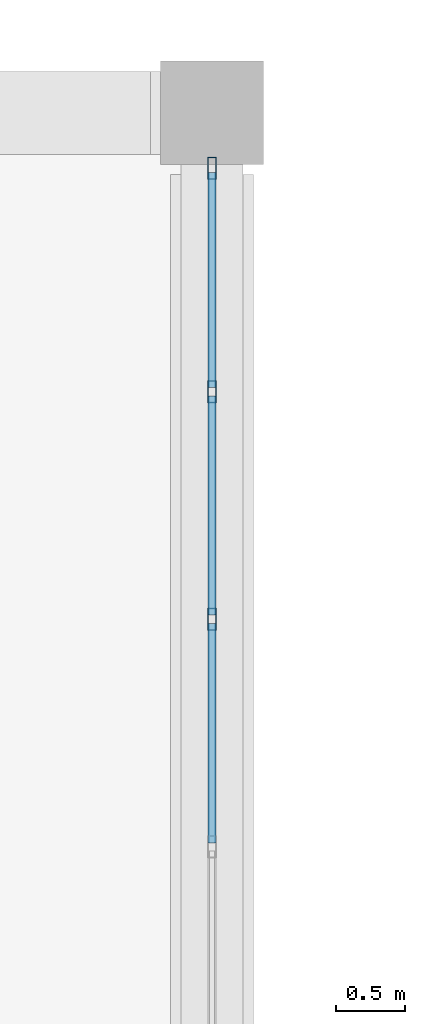
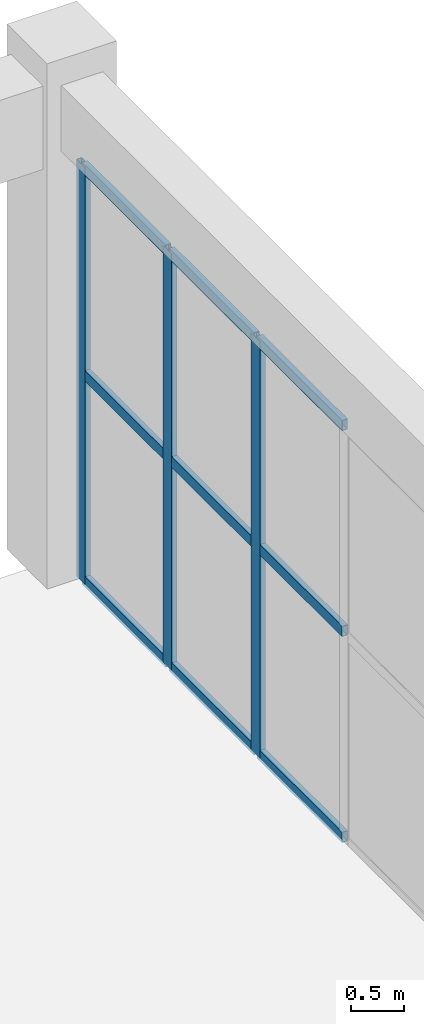
# One storey, part 52 of 91: 12 members, 1 element without a shape of its own.
"""IFC4 building model written with IfcOpenShell, lengths in metres."""

from ifc_helpers import new_model, si_unit, direction, frame, origin, origin_2d, place, context, subcontext, project, spatial, hollow_rectangle, extrude, material, layer, layer_set, material_profile, profile_set, type_object, element, aggregate, save


model = new_model("IFC4")

# Units and contexts
model_context = context("Model", 3, precision=1e-05, world=origin(), true_north=direction((0.0, 1.0)))
body_context = subcontext(model_context, "Body", "Model", "MODEL_VIEW")
ifc_project = project(units=[si_unit("LENGTHUNIT", "METRE"), si_unit("AREAUNIT", "SQUARE_METRE"), si_unit("VOLUMEUNIT", "CUBIC_METRE"), si_unit("PLANEANGLEUNIT", "RADIAN"), si_unit("MASSUNIT", "GRAM", prefix="KILO")], contexts=[model_context])

# Site, building, storey
site_placement = place(None, origin())
site = spatial("IfcSite", under=ifc_project, at=site_placement, CompositionType="ELEMENT")
building_placement = place(site_placement, origin())
building = spatial("IfcBuilding", under=site, at=building_placement, Name="Dornveld Trade and Exhibition Forum", CompositionType="ELEMENT")
storey_placement = place(building_placement, origin())
storey = spatial("IfcBuildingStorey", under=building, at=storey_placement, Name="L00", CompositionType="ELEMENT", Elevation=0.0)

# Curtain wall, members
ifc_material_1 = material(Name="Dark-bronze anodised aluminium and low-E glass", Category="aluminium")
ifc_layer = layer(ifc_material_1, 0.180908203125)
ifc_layer_set = layer_set([ifc_layer], Name="Dark-bronze anodised aluminium and low-E glass")
curtain_wall_type = type_object("IfcCurtainWallType", Name="CW-SYS-13", PredefinedType="USERDEFINED", material=ifc_layer_set)
curtain_wall_placement = place(storey_placement, origin())
curtain_wall = element("IfcCurtainWall", 1, at=curtain_wall_placement, inside=storey, type_object=curtain_wall_type, Name="L00 unitised curtain wall 103", ObjectType="UNITISED_CURTAIN_WALL", PredefinedType="USERDEFINED")
ifc_material_2 = material(Name="Dark-bronze anodised aluminium", Category="aluminium")
ifc_material_profile_1 = material_profile(ifc_material_2, hollow_rectangle(XDim=0.06005859375, YDim=0.159912109375, WallThickness=0.00390625, at=origin_2d()), Name="RHS 160x60x4")
ifc_profile_set_1 = profile_set([ifc_material_profile_1], Name="Dark-bronze anodised aluminium")
member_type_1 = type_object("IfcMemberType", Name="CW-MUL-160", PredefinedType="MULLION", material=ifc_profile_set_1)
member_1_placement = place(storey_placement, frame((216.0, 140.32568359375, -0.00390625), z_axis=(0.0, 0.0, 1.0), x_axis=(-1.0, 0.0, 0.0)))
member_1 = element("IfcMember", 2, at=member_1_placement, type_object=member_type_1, Name="CW-13 mullion 4", PredefinedType="MULLION", context=body_context, shape_type="SweptSolid", body=[
    extrude(hollow_rectangle(XDim=0.06005859375, YDim=0.159912109375, WallThickness=0.00390625, at=origin_2d()), origin(), (0.0, 0.0, 1.0), 4.763916015625),
])
member_2_placement = place(storey_placement, frame((216.0, 141.977294921875, -0.00390625), z_axis=(0.0, 0.0, 1.0), x_axis=(-1.0, 0.0, 0.0)))
member_2 = element("IfcMember", 3, at=member_2_placement, type_object=member_type_1, Name="CW-13 mullion 5", PredefinedType="MULLION", context=body_context, shape_type="SweptSolid", body=[
    extrude(hollow_rectangle(XDim=0.06005859375, YDim=0.159912109375, WallThickness=0.00390625, at=origin_2d()), origin(), (0.0, 0.0, 1.0), 4.763916015625),
])
member_3_placement = place(storey_placement, frame((216.0, 143.59912109375, -0.00390625), z_axis=(0.0, 0.0, 1.0), x_axis=(-1.0, 0.0, 0.0)))
member_3 = element("IfcMember", 4, at=member_3_placement, type_object=member_type_1, Name="CW-13 mullion 6", PredefinedType="MULLION", context=body_context, shape_type="SweptSolid", body=[
    extrude(hollow_rectangle(XDim=0.06005859375, YDim=0.159912109375, WallThickness=0.00390625, at=origin_2d()), origin(), (0.0, 0.0, 1.0), 4.763916015625),
])
ifc_material_3 = material(Name="Dark-bronze anodised aluminium", Category="aluminium")
ifc_material_profile_2 = material_profile(ifc_material_3, hollow_rectangle(XDim=0.06005859375, YDim=0.1201171875, WallThickness=0.00390625, at=origin_2d()), Name="RHS 120x60x4")
ifc_profile_set_2 = profile_set([ifc_material_profile_2], Name="Dark-bronze anodised aluminium")
member_type_2 = type_object("IfcMemberType", Name="CW-TRN-120", PredefinedType="USERDEFINED", material=ifc_profile_set_2)
member_4_placement = place(storey_placement, frame((216.0, 138.7041015625, 0.02587890625), z_axis=(0.0, 1.0, 0.0), x_axis=(-1.0, 0.0, 0.0)))
member_4 = element("IfcMember", 5, at=member_4_placement, type_object=member_type_2, Name="CW-13 transom 3.1", ObjectType="TRANSOM", PredefinedType="USERDEFINED", context=body_context, shape_type="SweptSolid", body=[
    extrude(hollow_rectangle(XDim=0.06005859375, YDim=0.1201171875, WallThickness=0.00390625, at=origin_2d()), origin(), (0.0, 0.0, 1.0), 1.591796875),
])
member_5_placement = place(storey_placement, frame((216.0, 138.7041015625, 2.3779296875), z_axis=(0.0, 1.0, 0.0), x_axis=(-1.0, 0.0, 0.0)))
member_5 = element("IfcMember", 6, at=member_5_placement, type_object=member_type_2, Name="CW-13 transom 3.2", ObjectType="TRANSOM", PredefinedType="USERDEFINED", context=body_context, shape_type="SweptSolid", body=[
    extrude(hollow_rectangle(XDim=0.06005859375, YDim=0.1201171875, WallThickness=0.00390625, at=origin_2d()), origin(), (0.0, 0.0, 1.0), 1.591796875),
])
member_6_placement = place(storey_placement, frame((216.0, 138.7041015625, 4.72998046875), z_axis=(0.0, 1.0, 0.0), x_axis=(-1.0, 0.0, 0.0)))
member_6 = element("IfcMember", 7, at=member_6_placement, type_object=member_type_2, Name="CW-13 transom 3.3", ObjectType="TRANSOM", PredefinedType="USERDEFINED", context=body_context, shape_type="SweptSolid", body=[
    extrude(hollow_rectangle(XDim=0.06005859375, YDim=0.1201171875, WallThickness=0.00390625, at=origin_2d()), origin(), (0.0, 0.0, 1.0), 1.591796875),
])
member_7_placement = place(storey_placement, frame((216.0, 140.355712890625, 0.02587890625), z_axis=(0.0, 1.0, 0.0), x_axis=(-1.0, 0.0, 0.0)))
member_7 = element("IfcMember", 8, at=member_7_placement, type_object=member_type_2, Name="CW-13 transom 4.1", ObjectType="TRANSOM", PredefinedType="USERDEFINED", context=body_context, shape_type="SweptSolid", body=[
    extrude(hollow_rectangle(XDim=0.06005859375, YDim=0.1201171875, WallThickness=0.00390625, at=origin_2d()), origin(), (0.0, 0.0, 1.0), 1.591796875),
])
member_8_placement = place(storey_placement, frame((216.0, 140.355712890625, 2.3779296875), z_axis=(0.0, 1.0, 0.0), x_axis=(-1.0, 0.0, 0.0)))
member_8 = element("IfcMember", 9, at=member_8_placement, type_object=member_type_2, Name="CW-13 transom 4.2", ObjectType="TRANSOM", PredefinedType="USERDEFINED", context=body_context, shape_type="SweptSolid", body=[
    extrude(hollow_rectangle(XDim=0.06005859375, YDim=0.1201171875, WallThickness=0.00390625, at=origin_2d()), origin(), (0.0, 0.0, 1.0), 1.591796875),
])
member_9_placement = place(storey_placement, frame((216.0, 140.355712890625, 4.72998046875), z_axis=(0.0, 1.0, 0.0), x_axis=(-1.0, 0.0, 0.0)))
member_9 = element("IfcMember", 10, at=member_9_placement, type_object=member_type_2, Name="CW-13 transom 4.3", ObjectType="TRANSOM", PredefinedType="USERDEFINED", context=body_context, shape_type="SweptSolid", body=[
    extrude(hollow_rectangle(XDim=0.06005859375, YDim=0.1201171875, WallThickness=0.00390625, at=origin_2d()), origin(), (0.0, 0.0, 1.0), 1.591796875),
])
member_10_placement = place(storey_placement, frame((216.0, 142.00732421875, 0.02587890625), z_axis=(0.0, 1.0, 0.0), x_axis=(-1.0, 0.0, 0.0)))
member_10 = element("IfcMember", 11, at=member_10_placement, type_object=member_type_2, Name="CW-13 transom 5.1", ObjectType="TRANSOM", PredefinedType="USERDEFINED", context=body_context, shape_type="SweptSolid", body=[
    extrude(hollow_rectangle(XDim=0.06005859375, YDim=0.1201171875, WallThickness=0.00390625, at=origin_2d()), origin(), (0.0, 0.0, 1.0), 1.561767578125),
])
member_11_placement = place(storey_placement, frame((216.0, 142.00732421875, 2.3779296875), z_axis=(0.0, 1.0, 0.0), x_axis=(-1.0, 0.0, 0.0)))
member_11 = element("IfcMember", 12, at=member_11_placement, type_object=member_type_2, Name="CW-13 transom 5.2", ObjectType="TRANSOM", PredefinedType="USERDEFINED", context=body_context, shape_type="SweptSolid", body=[
    extrude(hollow_rectangle(XDim=0.06005859375, YDim=0.1201171875, WallThickness=0.00390625, at=origin_2d()), origin(), (0.0, 0.0, 1.0), 1.561767578125),
])
member_12_placement = place(storey_placement, frame((216.0, 142.00732421875, 4.72998046875), z_axis=(0.0, 1.0, 0.0), x_axis=(-1.0, 0.0, 0.0)))
member_12 = element("IfcMember", 13, at=member_12_placement, type_object=member_type_2, Name="CW-13 transom 5.3", ObjectType="TRANSOM", PredefinedType="USERDEFINED", context=body_context, shape_type="SweptSolid", body=[
    extrude(hollow_rectangle(XDim=0.06005859375, YDim=0.1201171875, WallThickness=0.00390625, at=origin_2d()), origin(), (0.0, 0.0, 1.0), 1.561767578125),
])
aggregate(curtain_wall, [member_1, member_2, member_3, member_4, member_5, member_6, member_7, member_8, member_9, member_10, member_11, member_12])

save(model, "model.ifc")
